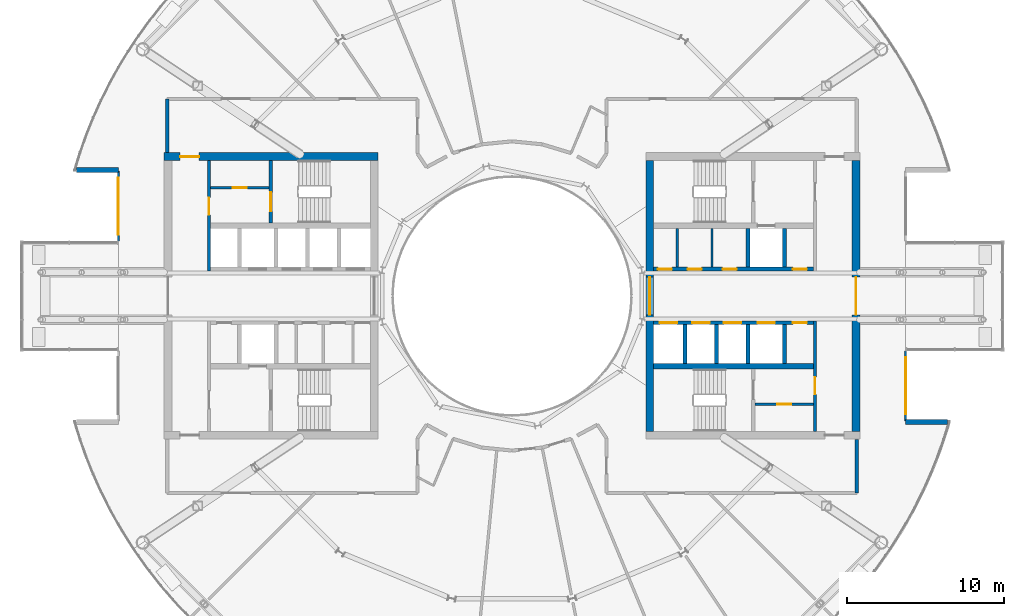
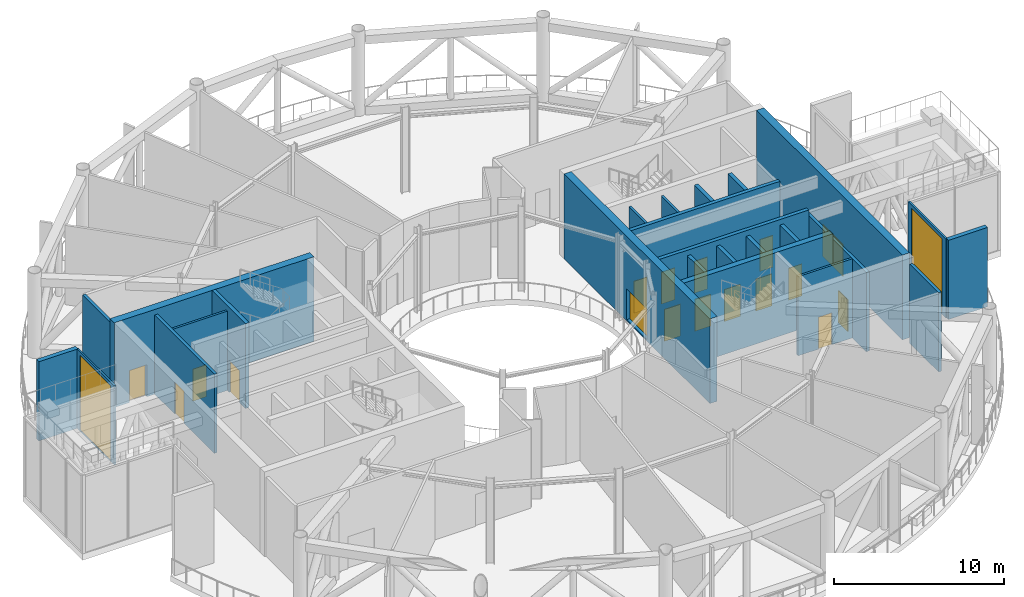
# One storey, part 14 of 24: 25 walls, 16 doors, 3 windows, 19 openings.
"""IFC4 building model written with IfcOpenShell, lengths in metres."""

import ifcopenshell
import ifcopenshell.guid

model = None  # the IFC model being written
_history = None  # IfcOwnerHistory: only IFC2X3 demands one
_inside = {}  # id of a spatial element -> (the spatial element, [elements in it])
_under = {}  # id of a project, library or spatial element -> (it, [spatial elements below it])
_declared = {}  # id of a project -> (the project, [libraries it declares])
_typed = {}  # id of a type object -> (the type object, [elements of that type])
_made_of = {}  # id of a material, layer set ... -> (it, [elements and type objects made of it])


def new_model(schema):
    """Start an empty IFC model of exactly this schema.

    Asked for "IFC4X3", IfcOpenShell would pick the latest addendum, in which some entities
    have other attributes; the version numbers below select the first issue.
    IFC2X3 requires an IfcOwnerHistory on every rooted entity: one is made here for all.
    """
    global model, _history
    if schema == "IFC4X3":
        model = ifcopenshell.file(schema_version=(4, 3, 0, 0))
    else:
        model = ifcopenshell.file(schema=schema)
    _inside.clear()
    _under.clear()
    _declared.clear()
    _typed.clear()
    _made_of.clear()
    _history = None
    if model.schema == "IFC2X3":
        org = make("IfcOrganization", Name="unknown")
        user = make(
            "IfcPersonAndOrganization",
            ThePerson=make("IfcPerson", FamilyName="unknown"),
            TheOrganization=org,
        )
        app = make(
            "IfcApplication",
            ApplicationDeveloper=org,
            Version="unknown",
            ApplicationFullName="unknown",
            ApplicationIdentifier="unknown",
        )
        _history = make(
            "IfcOwnerHistory",
            OwningUser=user,
            OwningApplication=app,
            ChangeAction="ADDED",
            CreationDate=0,
        )
    return model


def make(cls, **values):
    """One entity of the class cls with the attributes given. An attribute that is None is left unset."""
    return model.create_entity(
        cls, **{name: value for name, value in values.items() if value is not None}
    )


def rooted(cls, **values):
    """An entity with a GlobalId (a new one), such as an element, a storey or a relation."""
    return make(cls, GlobalId=ifcopenshell.guid.new(), OwnerHistory=_history, **values)


def si_unit(unit_type, name, prefix=None):
    """IfcSIUnit, for example si_unit("LENGTHUNIT", "METRE", prefix="MILLI")."""
    return make("IfcSIUnit", UnitType=unit_type, Prefix=prefix, Name=name)


def assignment(units):
    """IfcUnitAssignment: the units of a project."""
    return None if units is None else make("IfcUnitAssignment", Units=units)


def point(xyz):
    """IfcCartesianPoint."""
    return None if xyz is None else make("IfcCartesianPoint", Coordinates=xyz)


def direction(xyz):
    """IfcDirection."""
    return None if xyz is None else make("IfcDirection", DirectionRatios=xyz)


def frame(location, z_axis=None, x_axis=None):
    """IfcAxis2Placement3D, a coordinate frame: its origin and axes. An axis left out is left unset."""
    return make(
        "IfcAxis2Placement3D",
        Location=point(location),
        Axis=direction(z_axis),
        RefDirection=direction(x_axis),
    )


def frame_2d(location, x_axis=None):
    """IfcAxis2Placement2D, a coordinate frame in the plane: its origin and x axis."""
    return make(
        "IfcAxis2Placement2D", Location=point(location), RefDirection=direction(x_axis)
    )


def origin():
    """The frame at (0, 0, 0) with its axes left unset."""
    return frame((0.0, 0.0, 0.0))


def place(relative_to, where):
    """IfcLocalPlacement: puts the frame where relative to a parent placement (None: the world)."""
    return make(
        "IfcLocalPlacement", PlacementRelTo=relative_to, RelativePlacement=where
    )


def context(
    kind, dimensions, precision=None, world=None, true_north=None, identifier=None
):
    """IfcGeometricRepresentationContext, for example the 3D "Model" context."""
    return make(
        "IfcGeometricRepresentationContext",
        ContextIdentifier=identifier,
        ContextType=kind,
        CoordinateSpaceDimension=dimensions,
        Precision=precision,
        WorldCoordinateSystem=world,
        TrueNorth=true_north,
    )


def subcontext(parent, identifier, kind, view, scale=None):
    """IfcGeometricRepresentationSubContext, for example "Body" below "Model"."""
    return make(
        "IfcGeometricRepresentationSubContext",
        ContextIdentifier=identifier,
        ContextType=kind,
        ParentContext=parent,
        TargetScale=scale,
        TargetView=view,
    )


def project(units=None, contexts=None):
    """IfcProject with its units and contexts."""
    return rooted(
        "IfcProject",
        Name="project",
        RepresentationContexts=contexts,
        UnitsInContext=assignment(units),
    )


def spatial(cls, under=None, at=None, **own):
    """A site, building, storey or space (cls), placed at a placement, below another one or the project."""
    s = rooted(cls, ObjectPlacement=at, **own)
    if under is not None:
        _under.setdefault(under.id(), (under, []))[1].append(s)
    return s


def profile(cls, at=None, kind="AREA", **sizes):
    """A parametric profile (cls). Its sizes go by their IFC names, for example OverallWidth=200.0."""
    return make(cls, ProfileType=kind, Position=at, **sizes)


def rectangle(**sizes):
    """IfcRectangleProfileDef."""
    return profile("IfcRectangleProfileDef", **sizes)


def extrude(swept, where, along, depth):
    """IfcExtrudedAreaSolid: the profile swept, set in the frame where, extruded along a direction by depth."""
    return make(
        "IfcExtrudedAreaSolid",
        SweptArea=swept,
        Position=where,
        ExtrudedDirection=direction(along),
        Depth=depth,
    )


def shape(context_of_items, identifier, shape_type, items):
    """IfcShapeRepresentation: the items that make up one representation, for example the "Body"."""
    return make(
        "IfcShapeRepresentation",
        ContextOfItems=context_of_items,
        RepresentationIdentifier=identifier,
        RepresentationType=shape_type,
        Items=items,
    )


def material(Name=None, Category=None):
    """IfcMaterial."""
    return make("IfcMaterial", Name=Name, Category=Category)


def layer(
    of_material, thickness, ventilated=None, Name=None, Category=None, Priority=None
):
    """IfcMaterialLayer: one layer of a wall or slab, of a material (None: an air gap)."""
    return make(
        "IfcMaterialLayer",
        Material=of_material,
        LayerThickness=thickness,
        IsVentilated=ventilated,
        Name=Name,
        Category=Category,
        Priority=Priority,
    )


def layer_set(layers, Name=None):
    """IfcMaterialLayerSet."""
    return make("IfcMaterialLayerSet", MaterialLayers=layers, LayerSetName=Name)


def made_of(thing, what):
    """Note that an element or type object is made of a material, layer set ...; save() writes the relation."""
    if what is not None:
        _made_of.setdefault(what.id(), (what, []))[1].append(thing)
    return thing


def type_object(cls, material=None, **own):
    """A type object (cls), such as IfcWallType, which elements share."""
    return made_of(rooted(cls, **own), material)


def element(
    cls,
    number,
    at=None,
    inside=None,
    cuts=None,
    type_object=None,
    material=None,
    context=None,
    identifier="Body",
    shape_type=None,
    held_by="IfcProductDefinitionShape",
    body=None,
    shapes=None,
    **own,
):
    """One element of the class cls, such as IfcWall. Its Tag is "e" and its number.

    at: its placement. inside: the storey or other place that contains it. cuts: it is an
    opening in that element (IfcRelVoidsElement). A single representation is given by context,
    identifier, shape_type and body (its items); several are given by shapes. held_by: the class
    of the entity that holds the representations. save() writes the other relations.
    """
    e = rooted(cls, Tag="e%d" % number, ObjectPlacement=at, **own)
    if body is not None:
        shapes = [shape(context, identifier, shape_type, body)]
    if shapes is not None:
        e.Representation = make(held_by, Representations=shapes)
    if inside is not None:
        _inside.setdefault(inside.id(), (inside, []))[1].append(e)
    if cuts is not None:
        rooted(
            "IfcRelVoidsElement", RelatingBuildingElement=cuts, RelatedOpeningElement=e
        )
    if type_object is not None:
        _typed.setdefault(type_object.id(), (type_object, []))[1].append(e)
    return made_of(e, material)


def fill(opening, filler):
    """IfcRelFillsElement: the door or window that sits in an opening."""
    return rooted(
        "IfcRelFillsElement",
        RelatingOpeningElement=opening,
        RelatedBuildingElement=filler,
    )


def aggregate(whole, parts):
    """IfcRelAggregates: a whole, such as a stair, and the parts it consists of."""
    return rooted("IfcRelAggregates", RelatingObject=whole, RelatedObjects=parts)


def save(model, path):
    """Write the relations noted so far, then the file.

    IfcRelAggregates (storeys below a building ...), IfcRelContainedInSpatialStructure (elements
    in a storey), IfcRelDefinesByType, IfcRelAssociatesMaterial and IfcRelDeclares: one each for
    every whole, place, type object, material and project.
    """
    for whole, parts in _under.values():
        aggregate(whole, parts)
    for where, things in _inside.values():
        rooted(
            "IfcRelContainedInSpatialStructure",
            RelatedElements=things,
            RelatingStructure=where,
        )
    for kind, things in _typed.values():
        rooted("IfcRelDefinesByType", RelatedObjects=things, RelatingType=kind)
    for what, things in _made_of.values():
        rooted("IfcRelAssociatesMaterial", RelatedObjects=things, RelatingMaterial=what)
    for by, libraries in _declared.values():
        rooted("IfcRelDeclares", RelatingContext=by, RelatedDefinitions=libraries)
    model.write(path)


model = new_model("IFC4")

# Units and contexts
model_context = context("Model", 3, precision=1e-05, world=origin(), true_north=direction((0.0, 1.0)))
body_context = subcontext(model_context, "Body", "Model", "MODEL_VIEW")
ifc_project = project(units=[si_unit("LENGTHUNIT", "METRE"), si_unit("AREAUNIT", "SQUARE_METRE"), si_unit("VOLUMEUNIT", "CUBIC_METRE"), si_unit("PLANEANGLEUNIT", "RADIAN"), si_unit("MASSUNIT", "GRAM", prefix="KILO")], contexts=[model_context])

# Site, building, storey
site_placement = place(None, origin())
site = spatial("IfcSite", under=ifc_project, at=site_placement, CompositionType="ELEMENT")
building_placement = place(site_placement, origin())
building = spatial("IfcBuilding", under=site, at=building_placement, Name="Maasbend Ring Residences", CompositionType="ELEMENT")
storey_placement = place(building_placement, frame((0.0, 0.0, 179.89990234375)))
storey = spatial("IfcBuildingStorey", under=building, at=storey_placement, Name="L52", CompositionType="ELEMENT", Elevation=179.89990234375)

# Wall, openings, doors
ifc_material_1 = material(Name="Concrete C60/75", Category="concrete")
ifc_layer_1 = layer(ifc_material_1, 0.25)
ifc_layer_set_1 = layer_set([ifc_layer_1], Name="Concrete C60/75")
wall_type_1 = type_object("IfcWallType", Name="CORE WALL 250 C60/75", PredefinedType="SHEAR", material=ifc_layer_set_1)
wall_1_placement = place(storey_placement, frame((9.0, 1.699951171875, 0.0), z_axis=(0.0, 0.0, 1.0), x_axis=(1.0, 0.0, 0.0)))
wall_1 = element("IfcWall", 1, at=wall_1_placement, inside=storey, type_object=wall_type_1, Name="L52 core E wall SPN", PredefinedType="SHEAR", context=body_context, shape_type="SweptSolid", body=[
    extrude(rectangle(XDim=10.14990234375, YDim=0.25, at=frame_2d((5.074951171875, 0.0))), origin(), (0.0, 0.0, 1.0), 6.10009765625),
])
opening_1_placement = place(wall_1_placement, frame((0.262451171875, 0.0, 0.0)))
opening_1 = element("IfcOpeningElement", 2, at=opening_1_placement, cuts=wall_1, Name="Opening D-E5206", PredefinedType="OPENING", context=body_context, shape_type="SweptSolid", body=[
    extrude(rectangle(XDim=0.89990234375, YDim=2.300048828125, at=frame_2d((0.449951171875, 1.14990234375))), frame((0.0, 0.135009765625, 0.0), z_axis=(0.0, -1.0, 0.0), x_axis=(1.0, 0.0, 0.0)), (0.0, 0.0, 1.0), 0.27001953125),
])
opening_2_placement = place(wall_1_placement, frame((2.14990234375, 0.0, 0.0)))
opening_2 = element("IfcOpeningElement", 3, at=opening_2_placement, cuts=wall_1, Name="Opening D-E5207", PredefinedType="OPENING", context=body_context, shape_type="SweptSolid", body=[
    extrude(rectangle(XDim=0.89990234375, YDim=2.300048828125, at=frame_2d((0.449951171875, 1.14990234375))), frame((0.0, 0.135009765625, 0.0), z_axis=(0.0, -1.0, 0.0), x_axis=(1.0, 0.0, 0.0)), (0.0, 0.0, 1.0), 0.27001953125),
])
opening_3_placement = place(wall_1_placement, frame((4.375, 0.0, 0.0)))
opening_3 = element("IfcOpeningElement", 4, at=opening_3_placement, cuts=wall_1, Name="Opening D-E5208", PredefinedType="OPENING", context=body_context, shape_type="SweptSolid", body=[
    extrude(rectangle(XDim=0.89990234375, YDim=2.300048828125, at=frame_2d((0.449951171875, 1.14990234375))), frame((0.0, 0.135009765625, 0.0), z_axis=(0.0, -1.0, 0.0), x_axis=(1.0, 0.0, 0.0)), (0.0, 0.0, 1.0), 0.27001953125),
])
opening_4_placement = place(wall_1_placement, frame((8.83740234375, 0.0, 0.0)))
opening_4 = element("IfcOpeningElement", 5, at=opening_4_placement, cuts=wall_1, Name="Opening D-E5209", PredefinedType="OPENING", context=body_context, shape_type="SweptSolid", body=[
    extrude(rectangle(XDim=0.89990234375, YDim=2.300048828125, at=frame_2d((0.449951171875, 1.14990234375))), frame((0.0, 0.135009765625, 0.0), z_axis=(0.0, -1.0, 0.0), x_axis=(1.0, 0.0, 0.0)), (0.0, 0.0, 1.0), 0.27001953125),
])
ifc_material_2 = material(Name="Steel, powder coated", Category="steel")
door_type_1 = type_object("IfcDoorType", Name="ROOM DOOR 900 X 2300 FD30S", OperationType="NOTDEFINED", PredefinedType="DOOR", material=ifc_material_2)
door_1_placement = place(opening_1_placement, origin())
door_1 = element("IfcDoor", 6, at=door_1_placement, inside=storey, type_object=door_type_1, Name="Room door L52", OperationType="SINGLE_SWING_RIGHT", OverallHeight=2.300048828125, OverallWidth=0.89990234375, PredefinedType="DOOR", context=body_context, shape_type="SweptSolid", body=[
    extrude(rectangle(XDim=0.89990234375, YDim=2.300048828125, at=frame_2d((0.449951171875, 1.14990234375))), frame((0.0, 0.02490234375, 0.0), z_axis=(0.0, -1.0, 0.0), x_axis=(1.0, 0.0, 0.0)), (0.0, 0.0, 1.0), 0.050048828125),
])
fill(opening_1, door_1)
door_2_placement = place(opening_2_placement, origin())
door_2 = element("IfcDoor", 7, at=door_2_placement, inside=storey, type_object=door_type_1, Name="Room door L52", OperationType="SINGLE_SWING_RIGHT", OverallHeight=2.300048828125, OverallWidth=0.89990234375, PredefinedType="DOOR", context=body_context, shape_type="SweptSolid", body=[
    extrude(rectangle(XDim=0.89990234375, YDim=2.300048828125, at=frame_2d((0.449951171875, 1.14990234375))), frame((0.0, 0.02490234375, 0.0), z_axis=(0.0, -1.0, 0.0), x_axis=(1.0, 0.0, 0.0)), (0.0, 0.0, 1.0), 0.050048828125),
])
fill(opening_2, door_2)
door_3_placement = place(opening_3_placement, origin())
door_3 = element("IfcDoor", 8, at=door_3_placement, inside=storey, type_object=door_type_1, Name="Room door L52", OperationType="SINGLE_SWING_RIGHT", OverallHeight=2.300048828125, OverallWidth=0.89990234375, PredefinedType="DOOR", context=body_context, shape_type="SweptSolid", body=[
    extrude(rectangle(XDim=0.89990234375, YDim=2.300048828125, at=frame_2d((0.449951171875, 1.14990234375))), frame((0.0, 0.02490234375, 0.0), z_axis=(0.0, -1.0, 0.0), x_axis=(1.0, 0.0, 0.0)), (0.0, 0.0, 1.0), 0.050048828125),
])
fill(opening_3, door_3)
door_4_placement = place(opening_4_placement, origin())
door_4 = element("IfcDoor", 9, at=door_4_placement, inside=storey, type_object=door_type_1, Name="Room door L52", OperationType="SINGLE_SWING_LEFT", OverallHeight=2.300048828125, OverallWidth=0.89990234375, PredefinedType="DOOR", context=body_context, shape_type="SweptSolid", body=[
    extrude(rectangle(XDim=0.89990234375, YDim=2.300048828125, at=frame_2d((0.449951171875, 1.14990234375))), frame((0.0, 0.02490234375, 0.0), z_axis=(0.0, -1.0, 0.0), x_axis=(1.0, 0.0, 0.0)), (0.0, 0.0, 1.0), 0.050048828125),
])
fill(opening_4, door_4)

wall_2_placement = place(storey_placement, frame((19.14990234375, -1.699951171875, 0.0), z_axis=(0.0, 0.0, 1.0), x_axis=(-1.0, 0.0, 0.0)))
wall_2 = element("IfcWall", 10, at=wall_2_placement, inside=storey, type_object=wall_type_1, Name="L52 core E wall SPS", PredefinedType="SHEAR", context=body_context, shape_type="SweptSolid", body=[
    extrude(rectangle(XDim=10.14990234375, YDim=0.25, at=frame_2d((5.074951171875, 0.0))), origin(), (0.0, 0.0, 1.0), 6.10009765625),
])
opening_5_placement = place(wall_2_placement, frame((8.66259765625, 0.0, 0.0)))
opening_5 = element("IfcOpeningElement", 11, at=opening_5_placement, cuts=wall_2, Name="Opening LD-E5202", PredefinedType="OPENING", context=body_context, shape_type="SweptSolid", body=[
    extrude(rectangle(XDim=1.10009765625, YDim=2.300048828125, at=frame_2d((0.550048828125, 1.14990234375))), frame((0.0, 0.135009765625, 0.0), z_axis=(0.0, -1.0, 0.0), x_axis=(1.0, 0.0, 0.0)), (0.0, 0.0, 1.0), 0.27001953125),
])
opening_6_placement = place(wall_2_placement, frame((6.60009765625, 0.0, 0.0)))
opening_6 = element("IfcOpeningElement", 12, at=opening_6_placement, cuts=wall_2, Name="Opening LD-E5203", PredefinedType="OPENING", context=body_context, shape_type="SweptSolid", body=[
    extrude(rectangle(XDim=1.10009765625, YDim=2.300048828125, at=frame_2d((0.550048828125, 1.14990234375))), frame((0.0, 0.135009765625, 0.0), z_axis=(0.0, -1.0, 0.0), x_axis=(1.0, 0.0, 0.0)), (0.0, 0.0, 1.0), 0.27001953125),
])
opening_7_placement = place(wall_2_placement, frame((4.60009765625, 0.0, 0.0)))
opening_7 = element("IfcOpeningElement", 13, at=opening_7_placement, cuts=wall_2, Name="Opening LD-E5204", PredefinedType="OPENING", context=body_context, shape_type="SweptSolid", body=[
    extrude(rectangle(XDim=1.10009765625, YDim=2.300048828125, at=frame_2d((0.550048828125, 1.14990234375))), frame((0.0, 0.135009765625, 0.0), z_axis=(0.0, -1.0, 0.0), x_axis=(1.0, 0.0, 0.0)), (0.0, 0.0, 1.0), 0.27001953125),
])
opening_8_placement = place(wall_2_placement, frame((2.449951171875, 0.0, 0.0)))
opening_8 = element("IfcOpeningElement", 14, at=opening_8_placement, cuts=wall_2, Name="Opening LD-E5205", PredefinedType="OPENING", context=body_context, shape_type="SweptSolid", body=[
    extrude(rectangle(XDim=1.10009765625, YDim=2.300048828125, at=frame_2d((0.550048828125, 1.14990234375))), frame((0.0, 0.135009765625, 0.0), z_axis=(0.0, -1.0, 0.0), x_axis=(1.0, 0.0, 0.0)), (0.0, 0.0, 1.0), 0.27001953125),
])
opening_9_placement = place(wall_2_placement, frame((0.41259765625, 0.0, 0.0)))
opening_9 = element("IfcOpeningElement", 15, at=opening_9_placement, cuts=wall_2, Name="Opening D-E5210", PredefinedType="OPENING", context=body_context, shape_type="SweptSolid", body=[
    extrude(rectangle(XDim=0.89990234375, YDim=2.300048828125, at=frame_2d((0.449951171875, 1.14990234375))), frame((0.0, 0.135009765625, 0.0), z_axis=(0.0, -1.0, 0.0), x_axis=(1.0, 0.0, 0.0)), (0.0, 0.0, 1.0), 0.27001953125),
])
ifc_material_3 = material(Name="Stainless steel 316", Category="steel")
door_type_2 = type_object("IfcDoorType", Name="LANDING DOOR 1100 X 2300 FD60", OperationType="DOUBLE_DOOR_SLIDING", PredefinedType="DOOR", material=ifc_material_3)
door_5_placement = place(opening_5_placement, origin())
door_5 = element("IfcDoor", 16, at=door_5_placement, inside=storey, type_object=door_type_2, Name="Landing door HR-E1 L52", OperationType="DOUBLE_DOOR_SLIDING", OverallHeight=2.300048828125, OverallWidth=1.10009765625, PredefinedType="DOOR", context=body_context, shape_type="SweptSolid", body=[
    extrude(rectangle(XDim=1.10009765625, YDim=2.300048828125, at=frame_2d((0.550048828125, 1.14990234375))), frame((0.0, 0.02490234375, 0.0), z_axis=(0.0, -1.0, 0.0), x_axis=(1.0, 0.0, 0.0)), (0.0, 0.0, 1.0), 0.050048828125),
])
fill(opening_5, door_5)
door_6_placement = place(opening_6_placement, origin())
door_6 = element("IfcDoor", 17, at=door_6_placement, inside=storey, type_object=door_type_2, Name="Landing door HR-E2 L52", OperationType="DOUBLE_DOOR_SLIDING", OverallHeight=2.300048828125, OverallWidth=1.10009765625, PredefinedType="DOOR", context=body_context, shape_type="SweptSolid", body=[
    extrude(rectangle(XDim=1.10009765625, YDim=2.300048828125, at=frame_2d((0.550048828125, 1.14990234375))), frame((0.0, 0.02490234375, 0.0), z_axis=(0.0, -1.0, 0.0), x_axis=(1.0, 0.0, 0.0)), (0.0, 0.0, 1.0), 0.050048828125),
])
fill(opening_6, door_6)
door_7_placement = place(opening_7_placement, origin())
door_7 = element("IfcDoor", 18, at=door_7_placement, inside=storey, type_object=door_type_2, Name="Landing door HR-E3 L52", OperationType="DOUBLE_DOOR_SLIDING", OverallHeight=2.300048828125, OverallWidth=1.10009765625, PredefinedType="DOOR", context=body_context, shape_type="SweptSolid", body=[
    extrude(rectangle(XDim=1.10009765625, YDim=2.300048828125, at=frame_2d((0.550048828125, 1.14990234375))), frame((0.0, 0.02490234375, 0.0), z_axis=(0.0, -1.0, 0.0), x_axis=(1.0, 0.0, 0.0)), (0.0, 0.0, 1.0), 0.050048828125),
])
fill(opening_7, door_7)
door_8_placement = place(opening_8_placement, origin())
door_8 = element("IfcDoor", 19, at=door_8_placement, inside=storey, type_object=door_type_2, Name="Landing door SV-E L52", OperationType="DOUBLE_DOOR_SLIDING", OverallHeight=2.300048828125, OverallWidth=1.10009765625, PredefinedType="DOOR", context=body_context, shape_type="SweptSolid", body=[
    extrude(rectangle(XDim=1.10009765625, YDim=2.300048828125, at=frame_2d((0.550048828125, 1.14990234375))), frame((0.0, 0.02490234375, 0.0), z_axis=(0.0, -1.0, 0.0), x_axis=(1.0, 0.0, 0.0)), (0.0, 0.0, 1.0), 0.050048828125),
])
fill(opening_8, door_8)
door_9_placement = place(opening_9_placement, origin())
door_9 = element("IfcDoor", 20, at=door_9_placement, inside=storey, type_object=door_type_1, Name="Room door L52", OperationType="SINGLE_SWING_RIGHT", OverallHeight=2.300048828125, OverallWidth=0.89990234375, PredefinedType="DOOR", context=body_context, shape_type="SweptSolid", body=[
    extrude(rectangle(XDim=0.89990234375, YDim=2.300048828125, at=frame_2d((0.449951171875, 1.14990234375))), frame((0.0, 0.02490234375, 0.0), z_axis=(0.0, -1.0, 0.0), x_axis=(1.0, 0.0, 0.0)), (0.0, 0.0, 1.0), 0.050048828125),
])
fill(opening_9, door_9)

# Wall, opening, door
wall_3_placement = place(storey_placement, frame((-15.324951171875, 8.60009765625, 0.0), z_axis=(0.0, 0.0, 1.0), x_axis=(0.0, -1.0, 0.0)))
wall_3 = element("IfcWall", 21, at=wall_3_placement, inside=storey, type_object=wall_type_1, Name="L52 core W wall STES", PredefinedType="SHEAR", context=body_context, shape_type="SweptSolid", body=[
    extrude(rectangle(XDim=3.9501953125, YDim=0.25, at=frame_2d((1.97509765625, 0.0))), origin(), (0.0, 0.0, 1.0), 6.10009765625),
])
opening_10_placement = place(wall_3_placement, frame((2.02490234375, 0.0, 0.0)))
opening_10 = element("IfcOpeningElement", 22, at=opening_10_placement, cuts=wall_3, Name="Opening D-W5213", PredefinedType="OPENING", context=body_context, shape_type="SweptSolid", body=[
    extrude(rectangle(XDim=1.199951171875, YDim=2.300048828125, at=frame_2d((0.60009765625, 1.14990234375))), frame((0.0, 0.135009765625, 0.0), z_axis=(0.0, -1.0, 0.0), x_axis=(1.0, 0.0, 0.0)), (0.0, 0.0, 1.0), 0.27001953125),
])
ifc_material_4 = material(Name="Steel, powder coated", Category="steel")
door_type_3 = type_object("IfcDoorType", Name="STAIR DOOR 1200 X 2300 FD60", OperationType="NOTDEFINED", PredefinedType="DOOR", material=ifc_material_4)
door_10_placement = place(opening_10_placement, origin())
door_10 = element("IfcDoor", 23, at=door_10_placement, inside=storey, type_object=door_type_3, Name="Stair door ST-W L52", OperationType="SINGLE_SWING_LEFT", OverallHeight=2.300048828125, OverallWidth=1.199951171875, PredefinedType="DOOR", context=body_context, shape_type="SweptSolid", body=[
    extrude(rectangle(XDim=1.199951171875, YDim=2.300048828125, at=frame_2d((0.60009765625, 1.14990234375))), frame((0.0, 0.02490234375, 0.0), z_axis=(0.0, -1.0, 0.0), x_axis=(1.0, 0.0, 0.0)), (0.0, 0.0, 1.0), 0.050048828125),
])
fill(opening_10, door_10)

# Wall
ifc_material_5 = material(Name="Concrete C60/75", Category="concrete")
ifc_layer_2 = layer(ifc_material_5, 0.375)
ifc_layer_set_2 = layer_set([ifc_layer_2], Name="Concrete C60/75")
wall_type_2 = type_object("IfcWallType", Name="CORE WALL 375 C60/75", PredefinedType="SHEAR", material=ifc_layer_set_2)
wall_4_placement = place(storey_placement, frame((9.0, -4.46240234375, 0.0), z_axis=(0.0, 0.0, 1.0), x_axis=(1.0, 0.0, 0.0)))
element("IfcWall", 24, at=wall_4_placement, inside=storey, type_object=wall_type_2, Name="L52 core E wall BS", PredefinedType="SHEAR", context=body_context, shape_type="SweptSolid", body=[
    extrude(rectangle(XDim=10.14990234375, YDim=0.375, at=frame_2d((5.074951171875, 0.0))), origin(), (0.0, 0.0, 1.0), 6.10009765625),
])

# Wall, opening, door
ifc_material_6 = material(Name="Concrete C60/75", Category="concrete")
ifc_layer_3 = layer(ifc_material_6, 0.5)
ifc_layer_set_3 = layer_set([ifc_layer_3], Name="Concrete C60/75")
wall_type_3 = type_object("IfcWallType", Name="CORE WALL 500 C60/75", PredefinedType="SHEAR", material=ifc_layer_set_3)
wall_5_placement = place(storey_placement, frame((21.85009765625, 8.60009765625, 0.0), z_axis=(0.0, 0.0, 1.0), x_axis=(0.0, -1.0, 0.0)))
wall_5 = element("IfcWall", 25, at=wall_5_placement, inside=storey, type_object=wall_type_3, Name="L52 core E wall POUT", PredefinedType="SHEAR", context=body_context, shape_type="SweptSolid", body=[
    extrude(rectangle(XDim=17.2001953125, YDim=0.5, at=frame_2d((8.60009765625, 0.0))), origin(), (0.0, 0.0, 1.0), 6.10009765625),
])
opening_11_placement = place(wall_5_placement, frame((7.39990234375, 0.0, 0.0)))
opening_11 = element("IfcOpeningElement", 26, at=opening_11_placement, cuts=wall_5, Name="Opening D-E5218", PredefinedType="OPENING", context=body_context, shape_type="SweptSolid", body=[
    extrude(rectangle(XDim=2.39990234375, YDim=2.300048828125, at=frame_2d((1.199951171875, 1.14990234375))), frame((0.0, 0.260009765625, 0.0), z_axis=(0.0, -1.0, 0.0), x_axis=(1.0, 0.0, 0.0)), (0.0, 0.0, 1.0), 0.52001953125),
])
ifc_material_7 = material(Name="Aluminium frame, clear glass", Category="aluminium")
door_type_4 = type_object("IfcDoorType", Name="ENTRANCE DOOR 2400 X 2300 FD60", OperationType="NOTDEFINED", PredefinedType="DOOR", material=ifc_material_7)
door_11_placement = place(opening_11_placement, origin())
door_11 = element("IfcDoor", 27, at=door_11_placement, inside=storey, type_object=door_type_4, Name="Lobby glazed door L52", OperationType="SINGLE_SWING_LEFT", OverallHeight=2.300048828125, OverallWidth=2.39990234375, PredefinedType="DOOR", context=body_context, shape_type="SweptSolid", body=[
    extrude(rectangle(XDim=2.39990234375, YDim=2.300048828125, at=frame_2d((1.199951171875, 1.14990234375))), frame((0.0, 0.02490234375, 0.0), z_axis=(0.0, -1.0, 0.0), x_axis=(1.0, 0.0, 0.0)), (0.0, 0.0, 1.0), 0.050048828125),
])
fill(opening_11, door_11)

# Wall, opening, window
wall_6_placement = place(storey_placement, frame((8.75, -8.60009765625, 0.0), z_axis=(0.0, 0.0, 1.0), x_axis=(0.0, 1.0, 0.0)))
wall_6 = element("IfcWall", 28, at=wall_6_placement, inside=storey, type_object=wall_type_3, Name="L52 core E wall PIN", PredefinedType="SHEAR", context=body_context, shape_type="SweptSolid", body=[
    extrude(rectangle(XDim=17.2001953125, YDim=0.5, at=frame_2d((8.60009765625, 0.0))), origin(), (0.0, 0.0, 1.0), 6.10009765625),
])
opening_12_placement = place(wall_6_placement, frame((7.39990234375, 0.0, 0.10009765625)))
opening_12 = element("IfcOpeningElement", 29, at=opening_12_placement, cuts=wall_6, Name="Opening W-E5201", PredefinedType="OPENING", context=body_context, shape_type="SweptSolid", body=[
    extrude(rectangle(XDim=2.39990234375, YDim=2.199951171875, at=frame_2d((1.199951171875, 1.10009765625))), frame((0.0, 0.260009765625, 0.0), z_axis=(0.0, -1.0, 0.0), x_axis=(1.0, 0.0, 0.0)), (0.0, 0.0, 1.0), 0.52001953125),
])
ifc_material_8 = material(Name="Aluminium frame and clear glass", Category="aluminium")
window_type_1 = type_object("IfcWindowType", Name="FIXED WINDOW 2400 X 2200", PartitioningType="SINGLE_PANEL", PredefinedType="WINDOW", material=ifc_material_8)
window_1_placement = place(opening_12_placement, origin())
window_1 = element("IfcWindow", 30, at=window_1_placement, inside=storey, type_object=window_type_1, Name="Lobby window L52", OverallHeight=2.199951171875, OverallWidth=2.39990234375, PartitioningType="SINGLE_PANEL", PredefinedType="WINDOW", context=body_context, shape_type="SweptSolid", body=[
    extrude(rectangle(XDim=2.39990234375, YDim=2.199951171875, at=frame_2d((1.199951171875, 1.10009765625))), frame((0.0, 0.030029296875, 0.0), z_axis=(0.0, -1.0, 0.0), x_axis=(1.0, 0.0, 0.0)), (0.0, 0.0, 1.0), 0.06005859375),
])
fill(opening_12, window_1)

# Wall, opening, door
wall_7_placement = place(storey_placement, frame((-8.5, 8.85009765625, 0.0), z_axis=(0.0, 0.0, 1.0), x_axis=(-1.0, 0.0, 0.0)))
wall_7 = element("IfcWall", 31, at=wall_7_placement, inside=storey, type_object=wall_type_3, Name="L52 core W wall PS", PredefinedType="SHEAR", context=body_context, shape_type="SweptSolid", body=[
    extrude(rectangle(XDim=13.60009765625, YDim=0.5, at=frame_2d((6.800048828125, 0.0))), origin(), (0.0, 0.0, 1.0), 6.10009765625),
])
opening_13_placement = place(wall_7_placement, frame((11.375, 0.0, 0.0)))
opening_13 = element("IfcOpeningElement", 32, at=opening_13_placement, cuts=wall_7, Name="Opening D-W5217", PredefinedType="OPENING", context=body_context, shape_type="SweptSolid", body=[
    extrude(rectangle(XDim=1.199951171875, YDim=2.300048828125, at=frame_2d((0.60009765625, 1.14990234375))), frame((0.0, 0.260009765625, 0.0), z_axis=(0.0, -1.0, 0.0), x_axis=(1.0, 0.0, 0.0)), (0.0, 0.0, 1.0), 0.52001953125),
])
ifc_material_9 = material(Name="Steel, powder coated", Category="steel")
door_type_5 = type_object("IfcDoorType", Name="CORRIDOR DOOR 1200 X 2300 FD30S", OperationType="NOTDEFINED", PredefinedType="DOOR", material=ifc_material_9)
door_12_placement = place(opening_13_placement, origin())
door_12 = element("IfcDoor", 33, at=door_12_placement, inside=storey, type_object=door_type_5, Name="Corridor door L52", OperationType="SINGLE_SWING_LEFT", OverallHeight=2.300048828125, OverallWidth=1.199951171875, PredefinedType="DOOR", context=body_context, shape_type="SweptSolid", body=[
    extrude(rectangle(XDim=1.199951171875, YDim=2.300048828125, at=frame_2d((0.60009765625, 1.14990234375))), frame((0.0, 0.02490234375, 0.0), z_axis=(0.0, -1.0, 0.0), x_axis=(1.0, 0.0, 0.0)), (0.0, 0.0, 1.0), 0.050048828125),
])
fill(opening_13, door_12)

# Walls
ifc_material_10 = material(Name="Concrete C30/37", Category="concrete")
ifc_layer_4 = layer(ifc_material_10, 0.199951171875)
ifc_layer_set_4 = layer_set([ifc_layer_4], Name="Concrete C30/37")
wall_type_4 = type_object("IfcWallType", Name="CORRIDOR WALL 200 CONCRETE", PredefinedType="PARTITIONING", material=ifc_layer_set_4)
for number, where, z_axis, x_axis, name in (
    (34, (21.89990234375, -12.52001953125, 0.0), (0.0, 0.0, 1.0), (0.0, 1.0, 0.0), "U-L52-w001"),
    (35, (-21.89990234375, 9.1201171875, 0.0), (0.0, 0.0, 1.0), (0.0, 1.0, 0.0), "U-L52-w054"),
):
    element("IfcWall", number, at=place(storey_placement, frame(where, z_axis=z_axis, x_axis=x_axis)), inside=storey, type_object=wall_type_4, Name=name, PredefinedType="PARTITIONING", context=body_context, shape_type="SweptSolid", body=[
        extrude(rectangle(XDim=3.39990234375, YDim=0.199951171875, at=frame_2d((1.699951171875, 0.0))), origin(), (0.0, 0.0, 1.0), 5.7001953125),
    ])
ifc_material_11 = material(Name="Aluminium clad insulated panel", Category="aluminium")
ifc_layer_5 = layer(ifc_material_11, 0.300048828125)
ifc_layer_set_5 = layer_set([ifc_layer_5], Name="EW-RET")
wall_type_5 = type_object("IfcWallType", Name="EW-RET", PredefinedType="SOLIDWALL", material=ifc_layer_set_5)
for number, where, z_axis, x_axis, name in (
    (36, (25.0, -8.0, 0.0), (0.0, 0.0, 1.0), (1.0, 0.0, 0.0), "Notch return wall east south"),
    (37, (-25.0, 8.0, 0.0), (0.0, 0.0, 1.0), (-1.0, 0.0, 0.0), "Notch return wall west north"),
):
    element("IfcWall", number, at=place(storey_placement, frame(where, z_axis=z_axis, x_axis=x_axis)), inside=storey, type_object=wall_type_5, Name=name, PredefinedType="SOLIDWALL", context=body_context, shape_type="SweptSolid", body=[
        extrude(rectangle(XDim=2.6669921875, YDim=0.300048828125, at=frame_2d((1.33349609375, 0.0))), origin(), (0.0, 0.0, 1.0), 5.7001953125),
    ])

# Wall, opening, window
ifc_material_12 = material(Name="Aluminium frame and clear glass", Category="aluminium")
ifc_layer_6 = layer(ifc_material_12, 0.1201171875)
ifc_layer_set_6 = layer_set([ifc_layer_6], Name="GLAZED SCREEN WALL 120 EI 60")
wall_type_6 = type_object("IfcWallType", Name="GLAZED SCREEN WALL 120 EI 60", PredefinedType="PARTITIONING", material=ifc_layer_set_6)
wall_8_placement = place(storey_placement, frame((25.0, -3.5, 0.0), z_axis=(0.0, 0.0, 1.0), x_axis=(0.0, -1.0, 0.0)))
wall_8 = element("IfcWall", 38, at=wall_8_placement, inside=storey, type_object=wall_type_6, Name="L52 core E wall FACEA", PredefinedType="PARTITIONING", context=body_context, shape_type="SweptSolid", body=[
    extrude(rectangle(XDim=4.449951171875, YDim=0.1201171875, at=frame_2d((2.22509765625, 0.0))), origin(), (0.0, 0.0, 1.0), 5.7001953125),
])
opening_14_placement = place(wall_8_placement, frame((0.39990234375, 0.0, 0.10009765625)))
opening_14 = element("IfcOpeningElement", 39, at=opening_14_placement, cuts=wall_8, Name="Opening W-E5202", PredefinedType="OPENING", context=body_context, shape_type="SweptSolid", body=[
    extrude(rectangle(XDim=3.60009765625, YDim=5.35009765625, at=frame_2d((1.800048828125, 2.675048828125))), frame((0.0, 0.070068359375, 0.0), z_axis=(0.0, -1.0, 0.0), x_axis=(1.0, 0.0, 0.0)), (0.0, 0.0, 1.0), 0.14013671875),
])
ifc_material_13 = material(Name="Aluminium frame and clear glass", Category="aluminium")
window_type_2 = type_object("IfcWindowType", Name="FIXED WINDOW 3600 X 5350", PartitioningType="SINGLE_PANEL", PredefinedType="WINDOW", material=ifc_material_13)
window_2_placement = place(opening_14_placement, origin())
window_2 = element("IfcWindow", 40, at=window_2_placement, inside=storey, type_object=window_type_2, Name="Lobby window L52", OverallHeight=5.35009765625, OverallWidth=3.60009765625, PartitioningType="SINGLE_PANEL", PredefinedType="WINDOW", context=body_context, shape_type="SweptSolid", body=[
    extrude(rectangle(XDim=3.60009765625, YDim=5.35009765625, at=frame_2d((1.800048828125, 2.675048828125))), frame((0.0, 0.030029296875, 0.0), z_axis=(0.0, -1.0, 0.0), x_axis=(1.0, 0.0, 0.0)), (0.0, 0.0, 1.0), 0.06005859375),
])
fill(opening_14, window_2)

wall_9_placement = place(storey_placement, frame((-25.0, 3.5, 0.0), z_axis=(0.0, 0.0, 1.0), x_axis=(0.0, 1.0, 0.0)))
wall_9 = element("IfcWall", 41, at=wall_9_placement, inside=storey, type_object=wall_type_6, Name="L52 core W wall FACEA", PredefinedType="PARTITIONING", context=body_context, shape_type="SweptSolid", body=[
    extrude(rectangle(XDim=4.449951171875, YDim=0.1201171875, at=frame_2d((2.22509765625, 0.0))), origin(), (0.0, 0.0, 1.0), 5.7001953125),
])
opening_15_placement = place(wall_9_placement, frame((0.39990234375, 0.0, 0.10009765625)))
opening_15 = element("IfcOpeningElement", 42, at=opening_15_placement, cuts=wall_9, Name="Opening W-W5202", PredefinedType="OPENING", context=body_context, shape_type="SweptSolid", body=[
    extrude(rectangle(XDim=3.60009765625, YDim=5.35009765625, at=frame_2d((1.800048828125, 2.675048828125))), frame((0.0, 0.070068359375, 0.0), z_axis=(0.0, -1.0, 0.0), x_axis=(1.0, 0.0, 0.0)), (0.0, 0.0, 1.0), 0.14013671875),
])
window_3_placement = place(opening_15_placement, origin())
window_3 = element("IfcWindow", 43, at=window_3_placement, inside=storey, type_object=window_type_2, Name="Lobby window L52", OverallHeight=5.35009765625, OverallWidth=3.60009765625, PartitioningType="SINGLE_PANEL", PredefinedType="WINDOW", context=body_context, shape_type="SweptSolid", body=[
    extrude(rectangle(XDim=3.60009765625, YDim=5.35009765625, at=frame_2d((1.800048828125, 2.675048828125))), frame((0.0, 0.030029296875, 0.0), z_axis=(0.0, -1.0, 0.0), x_axis=(1.0, 0.0, 0.0)), (0.0, 0.0, 1.0), 0.06005859375),
])
fill(opening_15, window_3)

# Walls
ifc_material_14 = material(Name="Gypsum board on steel studs", Category="steel")
ifc_layer_7 = layer(ifc_material_14, 0.14990234375)
ifc_layer_set_7 = layer_set([ifc_layer_7], Name="PARTITION 150 EI 60")
wall_type_7 = type_object("IfcWallType", Name="PARTITION 150 EI 60", PredefinedType="PARTITIONING", material=ifc_layer_set_7)
for number, where, z_axis, x_axis, name in (
    (44, (10.5, 1.824951171875, 0.0), (0.0, 0.0, 1.0), (0.0, 1.0, 0.0), "L52 core E wall PRN1050"),
    (45, (12.699951171875, 1.824951171875, 0.0), (0.0, 0.0, 1.0), (0.0, 1.0, 0.0), "L52 core E wall PRN1270"),
):
    element("IfcWall", number, at=place(storey_placement, frame(where, z_axis=z_axis, x_axis=x_axis)), inside=storey, type_object=wall_type_7, Name=name, PredefinedType="PARTITIONING", context=body_context, shape_type="SweptSolid", body=[
        extrude(rectangle(XDim=2.449951171875, YDim=0.14990234375, at=frame_2d((1.22509765625, 0.0))), origin(), (0.0, 0.0, 1.0), 5.7001953125),
    ])

# Wall, opening, door
wall_10_placement = place(storey_placement, frame((15.449951171875, -6.875, 0.0), z_axis=(0.0, 0.0, 1.0), x_axis=(1.0, 0.0, 0.0)))
wall_10 = element("IfcWall", 46, at=wall_10_placement, inside=storey, type_object=wall_type_7, Name="L52 core E wall RHS", PredefinedType="PARTITIONING", context=body_context, shape_type="SweptSolid", body=[
    extrude(rectangle(XDim=3.699951171875, YDim=0.14990234375, at=frame_2d((1.85009765625, 0.0))), origin(), (0.0, 0.0, 1.0), 5.7001953125),
])
opening_16_placement = place(wall_10_placement, frame((1.39990234375, 0.0, 0.0)))
opening_16 = element("IfcOpeningElement", 47, at=opening_16_placement, cuts=wall_10, Name="Opening D-E5211", PredefinedType="OPENING", context=body_context, shape_type="SweptSolid", body=[
    extrude(rectangle(XDim=0.89990234375, YDim=2.300048828125, at=frame_2d((0.449951171875, 1.14990234375))), frame((0.0, 0.0849609375, 0.0), z_axis=(0.0, -1.0, 0.0), x_axis=(1.0, 0.0, 0.0)), (0.0, 0.0, 1.0), 0.169921875),
])
ifc_material_15 = material(Name="Steel, powder coated", Category="steel")
door_type_6 = type_object("IfcDoorType", Name="RISER DOOR 900 X 2300 FD60", OperationType="NOTDEFINED", PredefinedType="DOOR", material=ifc_material_15)
door_13_placement = place(opening_16_placement, origin())
door_13 = element("IfcDoor", 48, at=door_13_placement, inside=storey, type_object=door_type_6, Name="Riser door L52", OperationType="SINGLE_SWING_LEFT", OverallHeight=2.300048828125, OverallWidth=0.89990234375, PredefinedType="DOOR", context=body_context, shape_type="SweptSolid", body=[
    extrude(rectangle(XDim=0.89990234375, YDim=2.300048828125, at=frame_2d((0.449951171875, 1.14990234375))), frame((0.0, 0.02490234375, 0.0), z_axis=(0.0, -1.0, 0.0), x_axis=(1.0, 0.0, 0.0)), (0.0, 0.0, 1.0), 0.050048828125),
])
fill(opening_16, door_13)

wall_11_placement = place(storey_placement, frame((-15.449951171875, 6.875, 0.0), z_axis=(0.0, 0.0, 1.0), x_axis=(-1.0, 0.0, 0.0)))
wall_11 = element("IfcWall", 49, at=wall_11_placement, inside=storey, type_object=wall_type_7, Name="L52 core W wall RHS", PredefinedType="PARTITIONING", context=body_context, shape_type="SweptSolid", body=[
    extrude(rectangle(XDim=3.699951171875, YDim=0.14990234375, at=frame_2d((1.85009765625, 0.0))), origin(), (0.0, 0.0, 1.0), 5.7001953125),
])
opening_17_placement = place(wall_11_placement, frame((1.39990234375, 0.0, 0.0)))
opening_17 = element("IfcOpeningElement", 50, at=opening_17_placement, cuts=wall_11, Name="Opening D-W5211", PredefinedType="OPENING", context=body_context, shape_type="SweptSolid", body=[
    extrude(rectangle(XDim=0.89990234375, YDim=2.300048828125, at=frame_2d((0.449951171875, 1.14990234375))), frame((0.0, 0.0849609375, 0.0), z_axis=(0.0, -1.0, 0.0), x_axis=(1.0, 0.0, 0.0)), (0.0, 0.0, 1.0), 0.169921875),
])
door_14_placement = place(opening_17_placement, origin())
door_14 = element("IfcDoor", 51, at=door_14_placement, inside=storey, type_object=door_type_6, Name="Riser door L52", OperationType="SINGLE_SWING_LEFT", OverallHeight=2.300048828125, OverallWidth=0.89990234375, PredefinedType="DOOR", context=body_context, shape_type="SweptSolid", body=[
    extrude(rectangle(XDim=0.89990234375, YDim=2.300048828125, at=frame_2d((0.449951171875, 1.14990234375))), frame((0.0, 0.02490234375, 0.0), z_axis=(0.0, -1.0, 0.0), x_axis=(1.0, 0.0, 0.0)), (0.0, 0.0, 1.0), 0.050048828125),
])
fill(opening_17, door_14)

ifc_material_16 = material(Name="Concrete C30/37", Category="concrete")
ifc_layer_8 = layer(ifc_material_16, 0.199951171875)
ifc_layer_set_8 = layer_set([ifc_layer_8], Name="Concrete C30/37")
wall_type_8 = type_object("IfcWallType", Name="SHAFT WALL 200 EI 120", PredefinedType="SOLIDWALL", material=ifc_layer_set_8)
wall_12_placement = place(storey_placement, frame((19.25, -8.60009765625, 0.0), z_axis=(0.0, 0.0, 1.0), x_axis=(0.0, 1.0, 0.0)))
wall_12 = element("IfcWall", 52, at=wall_12_placement, inside=storey, type_object=wall_type_8, Name="L52 core E wall ENDS", PredefinedType="SOLIDWALL", context=body_context, shape_type="SweptSolid", body=[
    extrude(rectangle(XDim=7.025146484375, YDim=0.199951171875, at=frame_2d((3.5126953125, 0.0))), origin(), (0.0, 0.0, 1.0), 5.7001953125),
])
opening_18_placement = place(wall_12_placement, frame((2.35009765625, 0.0, 0.0)))
opening_18 = element("IfcOpeningElement", 53, at=opening_18_placement, cuts=wall_12, Name="Opening D-E5215", PredefinedType="OPENING", context=body_context, shape_type="SweptSolid", body=[
    extrude(rectangle(XDim=1.10009765625, YDim=2.300048828125, at=frame_2d((0.550048828125, 1.14990234375))), frame((0.0, 0.10986328125, 0.0), z_axis=(0.0, -1.0, 0.0), x_axis=(1.0, 0.0, 0.0)), (0.0, 0.0, 1.0), 0.219970703125),
])
ifc_material_17 = material(Name="Steel, powder coated", Category="steel")
door_type_7 = type_object("IfcDoorType", Name="LOBBY DOOR 1100 X 2300 FD60", OperationType="NOTDEFINED", PredefinedType="DOOR", material=ifc_material_17)
door_15_placement = place(opening_18_placement, origin())
door_15 = element("IfcDoor", 54, at=door_15_placement, inside=storey, type_object=door_type_7, Name="Lobby door L52", OperationType="SINGLE_SWING_RIGHT", OverallHeight=2.300048828125, OverallWidth=1.10009765625, PredefinedType="DOOR", context=body_context, shape_type="SweptSolid", body=[
    extrude(rectangle(XDim=1.10009765625, YDim=2.300048828125, at=frame_2d((0.550048828125, 1.14990234375))), frame((0.0, 0.02490234375, 0.0), z_axis=(0.0, -1.0, 0.0), x_axis=(1.0, 0.0, 0.0)), (0.0, 0.0, 1.0), 0.050048828125),
])
fill(opening_18, door_15)

wall_13_placement = place(storey_placement, frame((-19.25, 8.60009765625, 0.0), z_axis=(0.0, 0.0, 1.0), x_axis=(0.0, -1.0, 0.0)))
wall_13 = element("IfcWall", 55, at=wall_13_placement, inside=storey, type_object=wall_type_8, Name="L52 core W wall ENDS", PredefinedType="SOLIDWALL", context=body_context, shape_type="SweptSolid", body=[
    extrude(rectangle(XDim=7.025146484375, YDim=0.199951171875, at=frame_2d((3.5126953125, 0.0))), origin(), (0.0, 0.0, 1.0), 5.7001953125),
])
opening_19_placement = place(wall_13_placement, frame((2.35009765625, 0.0, 0.0)))
opening_19 = element("IfcOpeningElement", 56, at=opening_19_placement, cuts=wall_13, Name="Opening D-W5215", PredefinedType="OPENING", context=body_context, shape_type="SweptSolid", body=[
    extrude(rectangle(XDim=1.10009765625, YDim=2.300048828125, at=frame_2d((0.550048828125, 1.14990234375))), frame((0.0, 0.10986328125, 0.0), z_axis=(0.0, -1.0, 0.0), x_axis=(1.0, 0.0, 0.0)), (0.0, 0.0, 1.0), 0.219970703125),
])
door_16_placement = place(opening_19_placement, origin())
door_16 = element("IfcDoor", 57, at=door_16_placement, inside=storey, type_object=door_type_7, Name="Lobby door L52", OperationType="SINGLE_SWING_RIGHT", OverallHeight=2.300048828125, OverallWidth=1.10009765625, PredefinedType="DOOR", context=body_context, shape_type="SweptSolid", body=[
    extrude(rectangle(XDim=1.10009765625, YDim=2.300048828125, at=frame_2d((0.550048828125, 1.14990234375))), frame((0.0, 0.02490234375, 0.0), z_axis=(0.0, -1.0, 0.0), x_axis=(1.0, 0.0, 0.0)), (0.0, 0.0, 1.0), 0.050048828125),
])
fill(opening_19, door_16)

# Walls
ifc_material_18 = material(Name="Concrete C30/37", Category="concrete")
ifc_layer_9 = layer(ifc_material_18, 0.25)
ifc_layer_set_9 = layer_set([ifc_layer_9], Name="Concrete C30/37")
wall_type_9 = type_object("IfcWallType", Name="SHAFT WALL 250 EI 120", PredefinedType="SOLIDWALL", material=ifc_layer_set_9)
for number, where, z_axis, x_axis, name in (
    (58, (15.0, 1.824951171875, 0.0), (0.0, 0.0, 1.0), (0.0, 1.0, 0.0), "L52 core E wall D150N"),
    (59, (17.300048828125, 1.824951171875, 0.0), (0.0, 0.0, 1.0), (0.0, 1.0, 0.0), "L52 core E wall D173N"),
    (60, (15.0, -1.824951171875, 0.0), (0.0, 0.0, 1.0), (0.0, -1.0, 0.0), "L52 core E wall D150S"),
    (61, (17.300048828125, -1.824951171875, 0.0), (0.0, 0.0, 1.0), (0.0, -1.0, 0.0), "L52 core E wall D173S"),
    (62, (11.0, -1.824951171875, 0.0), (0.0, 0.0, 1.0), (0.0, -1.0, 0.0), "L52 core E wall D110S"),
    (63, (13.0, -1.824951171875, 0.0), (0.0, 0.0, 1.0), (0.0, -1.0, 0.0), "L52 core E wall D130S"),
):
    element("IfcWall", number, at=place(storey_placement, frame(where, z_axis=z_axis, x_axis=x_axis)), inside=storey, type_object=wall_type_9, Name=name, PredefinedType="SOLIDWALL", context=body_context, shape_type="SweptSolid", body=[
        extrude(rectangle(XDim=2.449951171875, YDim=0.25, at=frame_2d((1.22509765625, 0.0))), origin(), (0.0, 0.0, 1.0), 5.7001953125),
    ])

save(model, "model.ifc")
